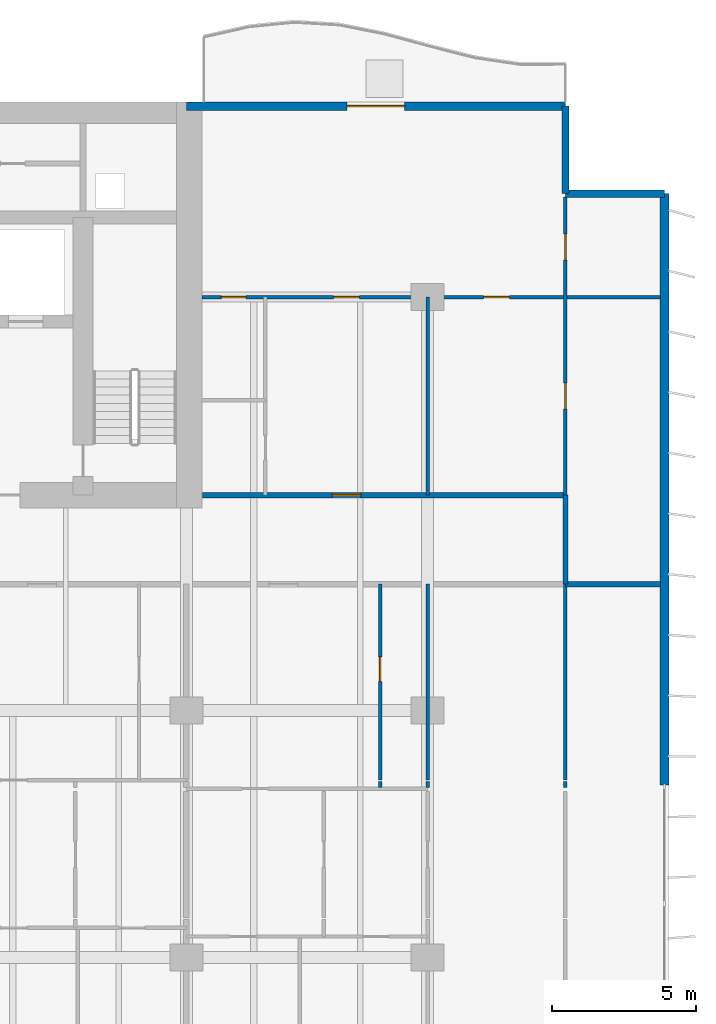
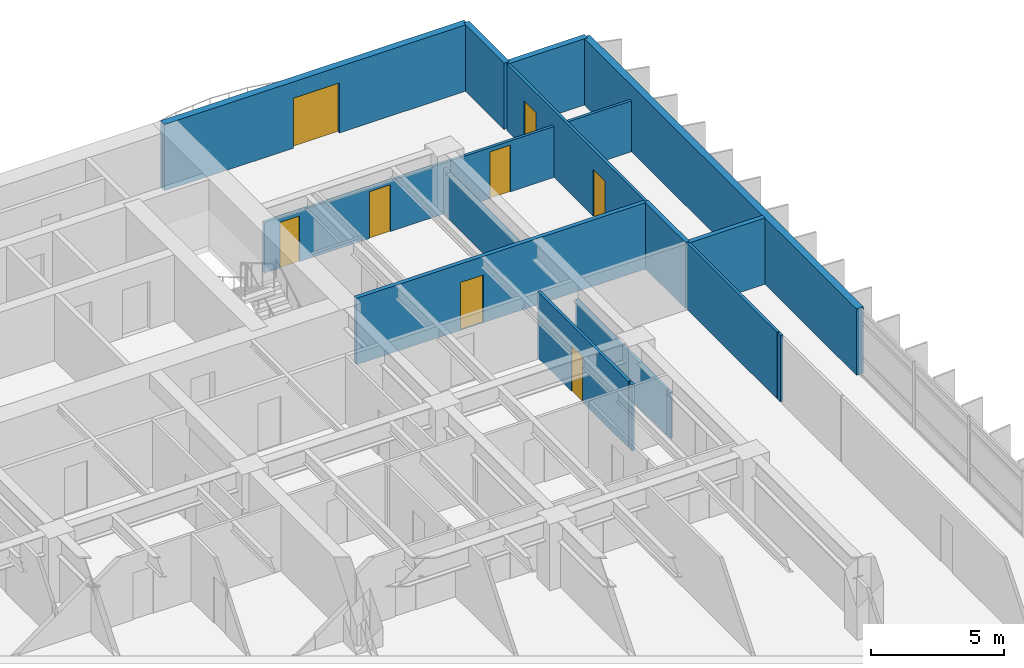
# One storey, part 13 of 18: 16 walls, 8 doors, 8 openings.
"""IFC4 building model written with IfcOpenShell, lengths in metres."""

from ifc_helpers import new_model, si_unit, direction, frame, frame_2d, origin, place, context, subcontext, project, spatial, rectangle, extrude, material, layer, layer_set, type_object, element, fill, save


model = new_model("IFC4")

# Units and contexts
model_context = context("Model", 3, precision=1e-05, world=origin(), true_north=direction((0.0, 1.0)))
body_context = subcontext(model_context, "Body", "Model", "MODEL_VIEW")
ifc_project = project(units=[si_unit("LENGTHUNIT", "METRE"), si_unit("AREAUNIT", "SQUARE_METRE"), si_unit("VOLUMEUNIT", "CUBIC_METRE"), si_unit("PLANEANGLEUNIT", "RADIAN"), si_unit("MASSUNIT", "GRAM", prefix="KILO")], contexts=[model_context])

# Site, building, storey
site_placement = place(None, origin())
site = spatial("IfcSite", under=ifc_project, at=site_placement, CompositionType="ELEMENT")
building_placement = place(site_placement, origin())
building = spatial("IfcBuilding", under=site, at=building_placement, Name="Caelmar Bay Residences", CompositionType="ELEMENT")
storey_placement = place(building_placement, frame((0.0, 0.0, 56.39990234375)))
storey = spatial("IfcBuildingStorey", under=building, at=storey_placement, Name="L14", CompositionType="ELEMENT", Elevation=56.39990234375)

# Wall
ifc_material_1 = material(Name="Double-stud acoustic fire-rated gypsum partition 180 mm")
ifc_layer_1 = layer(ifc_material_1, 0.179931640625)
ifc_layer_set_1 = layer_set([ifc_layer_1], Name="Double-stud acoustic fire-rated gypsum partition 180 mm")
wall_type_1 = type_object("IfcWallType", Name="W-COR-200", PredefinedType="PARTITIONING", material=ifc_layer_set_1)
wall_1_placement = place(storey_placement, frame((72.699951171875, 33.804931640625, 0.0), z_axis=(0.0, 0.0, 1.0), x_axis=(0.0, 1.0, 0.0)))
element("IfcWall", 1, at=wall_1_placement, inside=storey, type_object=wall_type_1, Name="L14 Partition Wall V098", PredefinedType="PARTITIONING", context=body_context, shape_type="SweptSolid", body=[
    extrude(rectangle(XDim=3.094970703125, YDim=0.179931640625, at=frame_2d((1.54736328125, 0.0))), origin(), (0.0, 0.0, 1.0), 3.050048828125),
])

# Wall, opening, door
wall_2_placement = place(storey_placement, frame((60.054931640625, 36.89990234375, 0.0), z_axis=(0.0, 0.0, 1.0), x_axis=(1.0, 0.0, 0.0)))
wall_2 = element("IfcWall", 2, at=wall_2_placement, inside=storey, type_object=wall_type_1, Name="L14 Partition Wall H123", PredefinedType="PARTITIONING", context=body_context, shape_type="SweptSolid", body=[
    extrude(rectangle(XDim=12.64501953125, YDim=0.179931640625, at=frame_2d((6.322509765625, 0.0))), origin(), (0.0, 0.0, 1.0), 3.050048828125),
])
opening_1_placement = place(wall_2_placement, frame((4.52001953125, 0.0, 0.0)))
opening_1 = element("IfcOpeningElement", 3, at=opening_1_placement, cuts=wall_2, Name="Opening D-L14-174", PredefinedType="OPENING", context=body_context, shape_type="SweptSolid", body=[
    extrude(rectangle(XDim=1.0, YDim=2.199951171875, at=frame_2d((0.5, 1.10009765625))), frame((0.0, 0.099853515625, 0.0), z_axis=(0.0, -1.0, 0.0), x_axis=(1.0, 0.0, 0.0)), (0.0, 0.0, 1.0), 0.199951171875),
])
ifc_material_2 = material(Name="Fire-rated steel and walnut architectural door assembly", Category="steel")
ifc_layer_2 = layer(ifc_material_2, 0.050048828125)
ifc_layer_set_2 = layer_set([ifc_layer_2], Name="Fire-rated steel and walnut architectural door assembly")
door_type_1 = type_object("IfcDoorType", Name="D-UNIT-1000", OperationType="NOTDEFINED", PredefinedType="DOOR", material=ifc_layer_set_2)
door_1_placement = place(opening_1_placement, origin())
door_1 = element("IfcDoor", 4, at=door_1_placement, inside=storey, type_object=door_type_1, Name="L14 Residence EA Kitchen Door", OperationType="SINGLE_SWING_LEFT", OverallHeight=2.199951171875, OverallWidth=1.0, PredefinedType="DOOR", context=body_context, shape_type="SweptSolid", body=[
    extrude(rectangle(XDim=1.0, YDim=2.199951171875, at=frame_2d((0.5, 1.10009765625))), frame((0.0, 0.02490234375, 0.0), z_axis=(0.0, -1.0, 0.0), x_axis=(1.0, 0.0, 0.0)), (0.0, 0.0, 1.0), 0.050048828125),
])
fill(opening_1, door_1)

# Walls
ifc_material_3 = material(Name="Precast concrete f'c 40 MPa (6,000 psi)", Category="concrete")
ifc_layer_3 = layer(ifc_material_3, 0.25)
ifc_layer_set_3 = layer_set([ifc_layer_3], Name="Precast concrete f'c 40 MPa (6,000 psi)")
wall_type_2 = type_object("IfcWallType", Name="W-EXT-250", PredefinedType="ELEMENTEDWALL", material=ifc_layer_set_3)
wall_3_placement = place(storey_placement, frame((72.699951171875, 50.449951171875, 0.0), z_axis=(0.0, 0.0, 1.0), x_axis=(0.0, -1.0, 0.0)))
element("IfcWall", 5, at=wall_3_placement, inside=storey, type_object=wall_type_2, Name="L14 NNE-V Notch Wall", PredefinedType="ELEMENTEDWALL", context=body_context, shape_type="SweptSolid", body=[
    extrude(rectangle(XDim=3.050048828125, YDim=0.25, at=frame_2d((1.52490234375, 0.0))), origin(), (0.0, 0.0, 1.0), 3.050048828125),
])
wall_4_placement = place(storey_placement, frame((72.699951171875, 47.39990234375, 0.0), z_axis=(0.0, 0.0, 1.0), x_axis=(1.0, 0.0, 0.0)))
element("IfcWall", 6, at=wall_4_placement, inside=storey, type_object=wall_type_2, Name="L14 NNE-H Notch Wall", PredefinedType="ELEMENTEDWALL", context=body_context, shape_type="SweptSolid", body=[
    extrude(rectangle(XDim=3.449951171875, YDim=0.25, at=frame_2d((1.72509765625, 0.0))), origin(), (0.0, 0.0, 1.0), 3.050048828125),
])
ifc_layer_4 = layer(ifc_material_3, 0.300048828125)
ifc_layer_set_4 = layer_set([ifc_layer_4], Name="Precast concrete f'c 40 MPa (6,000 psi)")
wall_type_3 = type_object("IfcWallType", Name="W-EXT-300", PredefinedType="STANDARD", material=ifc_layer_set_4)
wall_5_placement = place(storey_placement, frame((76.14990234375, 47.39990234375, 0.0), z_axis=(0.0, 0.0, 1.0), x_axis=(0.0, -1.0, 0.0)))
element("IfcWall", 7, at=wall_5_placement, inside=storey, type_object=wall_type_3, Name="L14 East Rear Exterior Wall", PredefinedType="STANDARD", context=body_context, shape_type="SweptSolid", body=[
    extrude(rectangle(XDim=20.599853515625, YDim=0.300048828125, at=frame_2d((10.2998046875, 0.0))), origin(), (0.0, 0.0, 1.0), 3.050048828125),
])

# Wall, opening, door
wall_6_placement = place(storey_placement, frame((59.5, 50.449951171875, 0.0), z_axis=(0.0, 0.0, 1.0), x_axis=(1.0, 0.0, 0.0)))
wall_6 = element("IfcWall", 8, at=wall_6_placement, inside=storey, type_object=wall_type_3, Name="L14 North-East Wing Exterior Wall", PredefinedType="STANDARD", context=body_context, shape_type="SweptSolid", body=[
    extrude(rectangle(XDim=13.199951171875, YDim=0.300048828125, at=frame_2d((6.60009765625, 0.0))), origin(), (0.0, 0.0, 1.0), 3.050048828125),
])
opening_2_placement = place(wall_6_placement, frame((5.60009765625, 0.0, 0.0)))
opening_2 = element("IfcOpeningElement", 9, at=opening_2_placement, cuts=wall_6, Name="Opening L14-BDNE", PredefinedType="OPENING", context=body_context, shape_type="SweptSolid", body=[
    extrude(rectangle(XDim=2.0, YDim=2.300048828125, at=frame_2d((1.0, 1.14990234375))), frame((0.0, 0.159912109375, 0.0), z_axis=(0.0, -1.0, 0.0), x_axis=(1.0, 0.0, 0.0)), (0.0, 0.0, 1.0), 0.320068359375),
])
ifc_material_4 = material(Name="Anodised bronze thermally broken sliding glass door", Category="glass")
ifc_layer_5 = layer(ifc_material_4, 0.050048828125)
ifc_layer_set_5 = layer_set([ifc_layer_5], Name="Anodised bronze thermally broken sliding glass door")
door_type_2 = type_object("IfcDoorType", Name="D-BAL-2000", OperationType="DOUBLE_DOOR_SLIDING", PredefinedType="DOOR", material=ifc_layer_set_5)
door_2_placement = place(opening_2_placement, origin())
door_2 = element("IfcDoor", 10, at=door_2_placement, inside=storey, type_object=door_type_2, Name="L14 North-East Balcony Door", OperationType="DOUBLE_DOOR_SLIDING", OverallHeight=2.300048828125, OverallWidth=2.0, PredefinedType="DOOR", context=body_context, shape_type="SweptSolid", body=[
    extrude(rectangle(XDim=2.0, YDim=2.300048828125, at=frame_2d((1.0, 1.14990234375))), frame((0.0, 0.02490234375, 0.0), z_axis=(0.0, -1.0, 0.0), x_axis=(1.0, 0.0, 0.0)), (0.0, 0.0, 1.0), 0.050048828125),
])
fill(opening_2, door_2)

# Wall
ifc_material_5 = material(Name="Acoustic metal-stud gypsum partition 120 mm")
ifc_layer_6 = layer(ifc_material_5, 0.1201171875)
ifc_layer_set_6 = layer_set([ifc_layer_6], Name="Acoustic metal-stud gypsum partition 120 mm")
wall_type_4 = type_object("IfcWallType", Name="W-PRT-120", PredefinedType="PARTITIONING", material=ifc_layer_set_6)
wall_7_placement = place(storey_placement, frame((66.25, 26.719970703125, 0.0), z_axis=(0.0, 0.0, 1.0), x_axis=(0.0, 1.0, 0.0)))
element("IfcWall", 11, at=wall_7_placement, inside=storey, type_object=wall_type_4, Name="L14 Partition Wall V086", PredefinedType="PARTITIONING", context=body_context, shape_type="SweptSolid", body=[
    extrude(rectangle(XDim=0.199951171875, YDim=0.1201171875, at=frame_2d((0.10009765625, 0.0))), origin(), (0.0, 0.0, 1.0), 3.050048828125),
])

# Wall, opening, door
wall_8_placement = place(storey_placement, frame((66.25, 26.97998046875, 0.0), z_axis=(0.0, 0.0, 1.0), x_axis=(0.0, 1.0, 0.0)))
wall_8 = element("IfcWall", 12, at=wall_8_placement, inside=storey, type_object=wall_type_4, Name="L14 Partition Wall V087", PredefinedType="PARTITIONING", context=body_context, shape_type="SweptSolid", body=[
    extrude(rectangle(XDim=6.820068359375, YDim=0.1201171875, at=frame_2d((3.41015625, 0.0))), origin(), (0.0, 0.0, 1.0), 3.050048828125),
])
opening_3_placement = place(wall_8_placement, frame((3.43505859375, 0.0, 0.0)))
opening_3 = element("IfcOpeningElement", 13, at=opening_3_placement, cuts=wall_8, Name="Opening D-L14-157", PredefinedType="OPENING", context=body_context, shape_type="SweptSolid", body=[
    extrude(rectangle(XDim=0.85009765625, YDim=2.10009765625, at=frame_2d((0.425048828125, 1.050048828125))), frame((0.0, 0.070068359375, 0.0), z_axis=(0.0, -1.0, 0.0), x_axis=(1.0, 0.0, 0.0)), (0.0, 0.0, 1.0), 0.14013671875),
])
ifc_material_6 = material(Name="Solid walnut timber interior door leaf and frame", Category="wood")
ifc_layer_7 = layer(ifc_material_6, 0.050048828125)
ifc_layer_set_7 = layer_set([ifc_layer_7], Name="Solid walnut timber interior door leaf and frame")
door_type_3 = type_object("IfcDoorType", Name="D-BATH-850", OperationType="NOTDEFINED", PredefinedType="DOOR", material=ifc_layer_set_7)
door_3_placement = place(opening_3_placement, origin())
door_3 = element("IfcDoor", 14, at=door_3_placement, inside=storey, type_object=door_type_3, Name="L14 Residence 05 Bathroom Door", OperationType="SINGLE_SWING_RIGHT", OverallHeight=2.10009765625, OverallWidth=0.85009765625, PredefinedType="DOOR", context=body_context, shape_type="SweptSolid", body=[
    extrude(rectangle(XDim=0.85009765625, YDim=2.10009765625, at=frame_2d((0.425048828125, 1.050048828125))), frame((0.0, 0.02490234375, 0.0), z_axis=(0.0, -1.0, 0.0), x_axis=(1.0, 0.0, 0.0)), (0.0, 0.0, 1.0), 0.050048828125),
])
fill(opening_3, door_3)

# Walls
wall_9_placement = place(storey_placement, frame((67.89990234375, 26.719970703125, 0.0), z_axis=(0.0, 0.0, 1.0), x_axis=(0.0, 1.0, 0.0)))
element("IfcWall", 15, at=wall_9_placement, inside=storey, type_object=wall_type_4, Name="L14 Partition Wall V091", PredefinedType="PARTITIONING", context=body_context, shape_type="SweptSolid", body=[
    extrude(rectangle(XDim=0.199951171875, YDim=0.1201171875, at=frame_2d((0.10009765625, 0.0))), origin(), (0.0, 0.0, 1.0), 2.110107421875),
])
wall_10_placement = place(storey_placement, frame((67.89990234375, 26.97998046875, 0.0), z_axis=(0.0, 0.0, 1.0), x_axis=(0.0, 1.0, 0.0)))
element("IfcWall", 16, at=wall_10_placement, inside=storey, type_object=wall_type_4, Name="L14 Partition Wall V092", PredefinedType="PARTITIONING", context=body_context, shape_type="SweptSolid", body=[
    extrude(rectangle(XDim=6.820068359375, YDim=0.1201171875, at=frame_2d((3.41015625, 0.0))), origin(), (0.0, 0.0, 1.0), 2.110107421875),
])
wall_11_placement = place(storey_placement, frame((67.89990234375, 36.89990234375, 0.0), z_axis=(0.0, 0.0, 1.0), x_axis=(0.0, 1.0, 0.0)))
element("IfcWall", 17, at=wall_11_placement, inside=storey, type_object=wall_type_4, Name="L14 Partition Wall V093", PredefinedType="PARTITIONING", context=body_context, shape_type="SweptSolid", body=[
    extrude(rectangle(XDim=6.900146484375, YDim=0.1201171875, at=frame_2d((3.4501953125, 0.0))), origin(), (0.0, 0.0, 1.0), 2.110107421875),
])
wall_12_placement = place(storey_placement, frame((72.699951171875, 26.719970703125, 0.0), z_axis=(0.0, 0.0, 1.0), x_axis=(0.0, 1.0, 0.0)))
element("IfcWall", 18, at=wall_12_placement, inside=storey, type_object=wall_type_4, Name="L14 Partition Wall V096", PredefinedType="PARTITIONING", context=body_context, shape_type="SweptSolid", body=[
    extrude(rectangle(XDim=0.199951171875, YDim=0.1201171875, at=frame_2d((0.10009765625, 0.0))), origin(), (0.0, 0.0, 1.0), 3.050048828125),
])
wall_13_placement = place(storey_placement, frame((72.699951171875, 26.97998046875, 0.0), z_axis=(0.0, 0.0, 1.0), x_axis=(0.0, 1.0, 0.0)))
element("IfcWall", 19, at=wall_13_placement, inside=storey, type_object=wall_type_4, Name="L14 Partition Wall V097", PredefinedType="PARTITIONING", context=body_context, shape_type="SweptSolid", body=[
    extrude(rectangle(XDim=6.820068359375, YDim=0.1201171875, at=frame_2d((3.41015625, 0.0))), origin(), (0.0, 0.0, 1.0), 3.050048828125),
])

# Wall, openings, doors
wall_14_placement = place(storey_placement, frame((72.699951171875, 36.905029296875, 0.0), z_axis=(0.0, 0.0, 1.0), x_axis=(0.0, 1.0, 0.0)))
wall_14 = element("IfcWall", 20, at=wall_14_placement, inside=storey, type_object=wall_type_4, Name="L14 Partition Wall V099", PredefinedType="PARTITIONING", context=body_context, shape_type="SweptSolid", body=[
    extrude(rectangle(XDim=10.375, YDim=0.1201171875, at=frame_2d((5.1875, 0.0))), origin(), (0.0, 0.0, 1.0), 3.050048828125),
])
opening_4_placement = place(wall_14_placement, frame((2.99755859375, 0.0, 0.0)))
opening_4 = element("IfcOpeningElement", 21, at=opening_4_placement, cuts=wall_14, Name="Opening D-L14-178", PredefinedType="OPENING", context=body_context, shape_type="SweptSolid", body=[
    extrude(rectangle(XDim=0.89990234375, YDim=2.14990234375, at=frame_2d((0.449951171875, 1.074951171875))), frame((0.0, 0.070068359375, 0.0), z_axis=(0.0, -1.0, 0.0), x_axis=(1.0, 0.0, 0.0)), (0.0, 0.0, 1.0), 0.14013671875),
])
opening_5_placement = place(wall_14_placement, frame((8.18505859375, 0.0, 0.0)))
opening_5 = element("IfcOpeningElement", 22, at=opening_5_placement, cuts=wall_14, Name="Opening D-L14-179", PredefinedType="OPENING", context=body_context, shape_type="SweptSolid", body=[
    extrude(rectangle(XDim=0.89990234375, YDim=2.14990234375, at=frame_2d((0.449951171875, 1.074951171875))), frame((0.0, 0.070068359375, 0.0), z_axis=(0.0, -1.0, 0.0), x_axis=(1.0, 0.0, 0.0)), (0.0, 0.0, 1.0), 0.14013671875),
])
ifc_layer_8 = layer(ifc_material_6, 0.050048828125)
ifc_layer_set_8 = layer_set([ifc_layer_8], Name="Solid walnut timber interior door leaf and frame")
door_type_4 = type_object("IfcDoorType", Name="D-ROOM-900", OperationType="NOTDEFINED", PredefinedType="DOOR", material=ifc_layer_set_8)
door_4_placement = place(opening_4_placement, origin())
door_4 = element("IfcDoor", 23, at=door_4_placement, inside=storey, type_object=door_type_4, Name="L14 Residence EA Sun Study Door", OperationType="SINGLE_SWING_LEFT", OverallHeight=2.14990234375, OverallWidth=0.89990234375, PredefinedType="DOOR", context=body_context, shape_type="SweptSolid", body=[
    extrude(rectangle(XDim=0.89990234375, YDim=2.14990234375, at=frame_2d((0.449951171875, 1.074951171875))), frame((0.0, 0.02490234375, 0.0), z_axis=(0.0, -1.0, 0.0), x_axis=(1.0, 0.0, 0.0)), (0.0, 0.0, 1.0), 0.050048828125),
])
fill(opening_4, door_4)
door_5_placement = place(opening_5_placement, origin())
door_5 = element("IfcDoor", 24, at=door_5_placement, inside=storey, type_object=door_type_4, Name="L14 Residence EA North Sitting Alcove Door", OperationType="SINGLE_SWING_RIGHT", OverallHeight=2.14990234375, OverallWidth=0.89990234375, PredefinedType="DOOR", context=body_context, shape_type="SweptSolid", body=[
    extrude(rectangle(XDim=0.89990234375, YDim=2.14990234375, at=frame_2d((0.449951171875, 1.074951171875))), frame((0.0, 0.02490234375, 0.0), z_axis=(0.0, -1.0, 0.0), x_axis=(1.0, 0.0, 0.0)), (0.0, 0.0, 1.0), 0.050048828125),
])
fill(opening_5, door_5)

wall_15_placement = place(storey_placement, frame((60.044921875, 43.800048828125, 0.0), z_axis=(0.0, 0.0, 1.0), x_axis=(1.0, 0.0, 0.0)))
wall_15 = element("IfcWall", 25, at=wall_15_placement, inside=storey, type_object=wall_type_4, Name="L14 Partition Wall H127", PredefinedType="PARTITIONING", context=body_context, shape_type="SweptSolid", body=[
    extrude(rectangle(XDim=15.9599609375, YDim=0.1201171875, at=frame_2d((7.97998046875, 0.0))), origin(), (0.0, 0.0, 1.0), 2.339111328125),
])
opening_6_placement = place(wall_15_placement, frame((9.804931640625, 0.0, 0.0)))
opening_6 = element("IfcOpeningElement", 26, at=opening_6_placement, cuts=wall_15, Name="Opening D-L14-173", PredefinedType="OPENING", context=body_context, shape_type="SweptSolid", body=[
    extrude(rectangle(XDim=0.89990234375, YDim=2.14990234375, at=frame_2d((0.449951171875, 1.074951171875))), frame((0.0, 0.070068359375, 0.0), z_axis=(0.0, -1.0, 0.0), x_axis=(1.0, 0.0, 0.0)), (0.0, 0.0, 1.0), 0.14013671875),
])
opening_7_placement = place(wall_15_placement, frame((4.580078125, 0.0, 0.0)))
opening_7 = element("IfcOpeningElement", 27, at=opening_7_placement, cuts=wall_15, Name="Opening D-L14-175", PredefinedType="OPENING", context=body_context, shape_type="SweptSolid", body=[
    extrude(rectangle(XDim=0.89990234375, YDim=2.14990234375, at=frame_2d((0.449951171875, 1.074951171875))), frame((0.0, 0.070068359375, 0.0), z_axis=(0.0, -1.0, 0.0), x_axis=(1.0, 0.0, 0.0)), (0.0, 0.0, 1.0), 0.14013671875),
])
opening_8_placement = place(wall_15_placement, frame((0.677490234375, 0.0, 0.0)))
opening_8 = element("IfcOpeningElement", 28, at=opening_8_placement, cuts=wall_15, Name="Opening D-L14-177", PredefinedType="OPENING", context=body_context, shape_type="SweptSolid", body=[
    extrude(rectangle(XDim=0.85009765625, YDim=2.10009765625, at=frame_2d((0.425048828125, 1.050048828125))), frame((0.0, 0.070068359375, 0.0), z_axis=(0.0, -1.0, 0.0), x_axis=(1.0, 0.0, 0.0)), (0.0, 0.0, 1.0), 0.14013671875),
])
door_6_placement = place(opening_8_placement, origin())
door_6 = element("IfcDoor", 29, at=door_6_placement, inside=storey, type_object=door_type_3, Name="L14 Residence EA Bathroom Door", OperationType="SINGLE_SWING_RIGHT", OverallHeight=2.10009765625, OverallWidth=0.85009765625, PredefinedType="DOOR", context=body_context, shape_type="SweptSolid", body=[
    extrude(rectangle(XDim=0.85009765625, YDim=2.10009765625, at=frame_2d((0.425048828125, 1.050048828125))), frame((0.0, 0.02490234375, 0.0), z_axis=(0.0, -1.0, 0.0), x_axis=(1.0, 0.0, 0.0)), (0.0, 0.0, 1.0), 0.050048828125),
])
fill(opening_8, door_6)
door_7_placement = place(opening_6_placement, origin())
door_7 = element("IfcDoor", 30, at=door_7_placement, inside=storey, type_object=door_type_4, Name="L14 Residence EA Study Door", OperationType="SINGLE_SWING_RIGHT", OverallHeight=2.14990234375, OverallWidth=0.89990234375, PredefinedType="DOOR", context=body_context, shape_type="SweptSolid", body=[
    extrude(rectangle(XDim=0.89990234375, YDim=2.14990234375, at=frame_2d((0.449951171875, 1.074951171875))), frame((0.0, 0.02490234375, 0.0), z_axis=(0.0, -1.0, 0.0), x_axis=(1.0, 0.0, 0.0)), (0.0, 0.0, 1.0), 0.050048828125),
])
fill(opening_6, door_7)
door_8_placement = place(opening_7_placement, origin())
door_8 = element("IfcDoor", 31, at=door_8_placement, inside=storey, type_object=door_type_4, Name="L14 Residence EA Studio Living and Sleeping Room Door", OperationType="SINGLE_SWING_RIGHT", OverallHeight=2.14990234375, OverallWidth=0.89990234375, PredefinedType="DOOR", context=body_context, shape_type="SweptSolid", body=[
    extrude(rectangle(XDim=0.89990234375, YDim=2.14990234375, at=frame_2d((0.449951171875, 1.074951171875))), frame((0.0, 0.02490234375, 0.0), z_axis=(0.0, -1.0, 0.0), x_axis=(1.0, 0.0, 0.0)), (0.0, 0.0, 1.0), 0.050048828125),
])
fill(opening_7, door_8)

# Wall
ifc_material_7 = material(Name="Acoustic twin-stud fire-rated inter-tenancy partition 200 mm")
ifc_layer_9 = layer(ifc_material_7, 0.199951171875)
ifc_layer_set_9 = layer_set([ifc_layer_9], Name="Acoustic twin-stud fire-rated inter-tenancy partition 200 mm")
wall_type_5 = type_object("IfcWallType", Name="W-PTY-200", PredefinedType="PARTITIONING", material=ifc_layer_set_9)
wall_16_placement = place(storey_placement, frame((72.705078125, 33.800048828125, 0.0), z_axis=(0.0, 0.0, 1.0), x_axis=(1.0, 0.0, 0.0)))
element("IfcWall", 32, at=wall_16_placement, inside=storey, type_object=wall_type_5, Name="L14 Partition Wall H121", PredefinedType="PARTITIONING", context=body_context, shape_type="SweptSolid", body=[
    extrude(rectangle(XDim=3.2998046875, YDim=0.199951171875, at=frame_2d((1.64990234375, 0.0))), origin(), (0.0, 0.0, 1.0), 3.050048828125),
])

save(model, "model.ifc")
